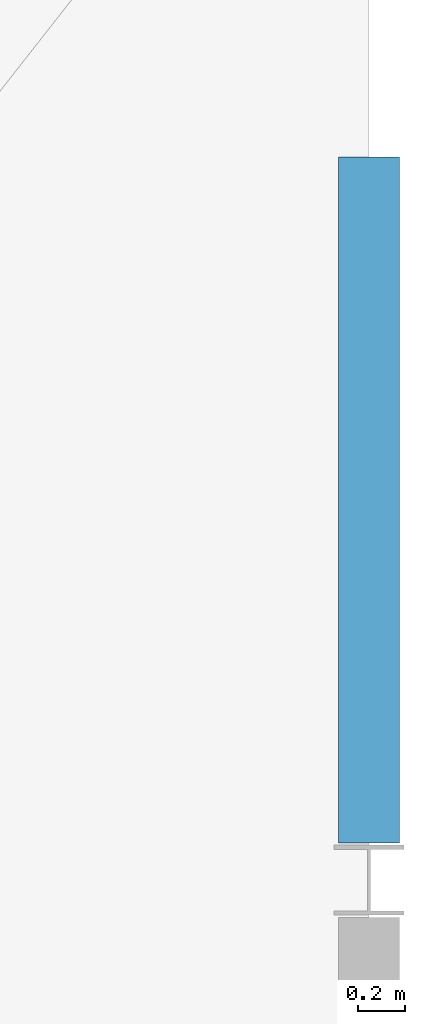
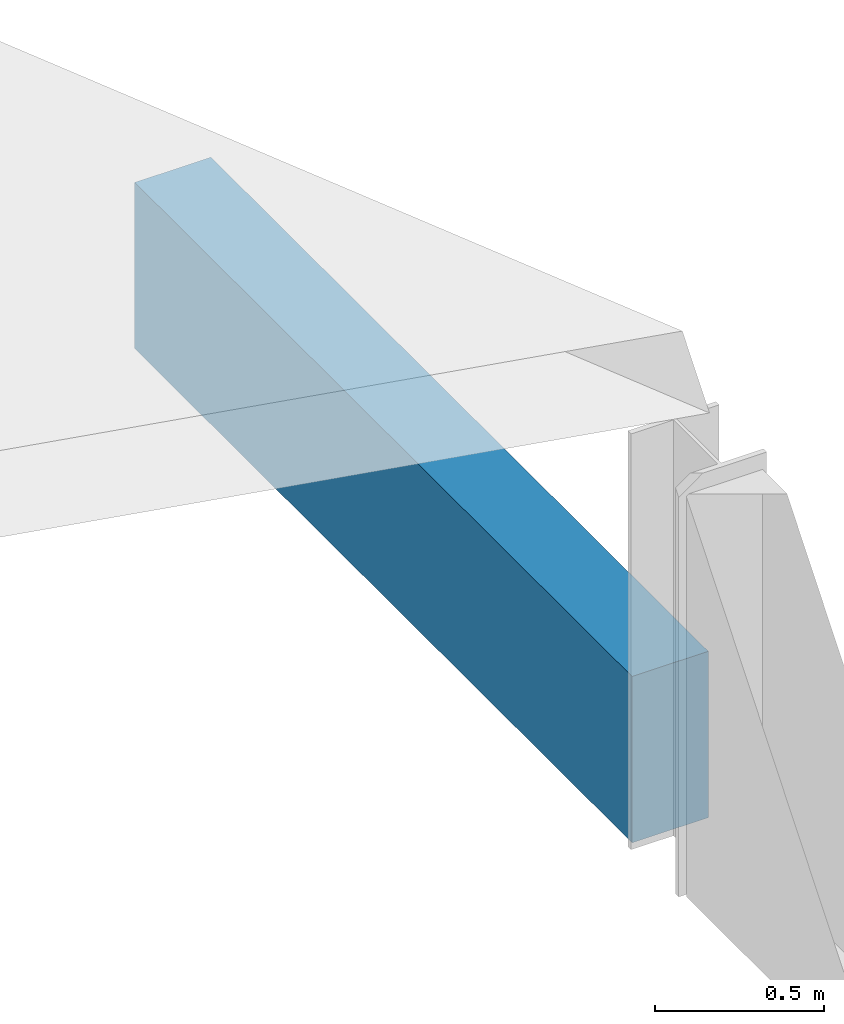
# One storey, part 2 of 2: 1 wall.
"""IFC4 building model written with IfcOpenShell, lengths in metres."""

from ifc_helpers import new_model, si_unit, direction, frame, frame_2d, origin, place, context, subcontext, project, spatial, rectangle, extrude, material, layer, layer_set, type_object, element, save


model = new_model("IFC4")

# Units and contexts
model_context = context("Model", 3, precision=1e-05, world=origin(), true_north=direction((0.0, 1.0)))
body_context = subcontext(model_context, "Body", "Model", "MODEL_VIEW")
ifc_project = project(units=[si_unit("LENGTHUNIT", "METRE"), si_unit("AREAUNIT", "SQUARE_METRE"), si_unit("VOLUMEUNIT", "CUBIC_METRE"), si_unit("PLANEANGLEUNIT", "RADIAN"), si_unit("MASSUNIT", "GRAM", prefix="KILO")], contexts=[model_context])

# Site, building, storey
site_placement = place(None, origin())
site = spatial("IfcSite", under=ifc_project, at=site_placement, CompositionType="ELEMENT")
building_placement = place(site_placement, origin())
building = spatial("IfcBuilding", under=site, at=building_placement, Name="Krzemoval Escarpment Law Courts", CompositionType="ELEMENT")
storey_placement = place(building_placement, frame((0.0, 0.0, 45.89990234375)))
storey = spatial("IfcBuildingStorey", under=building, at=storey_placement, Name="RF", CompositionType="ELEMENT", Elevation=45.89990234375)

# Wall
ifc_material = material(Name="Precast concrete C40/50", Category="concrete")
ifc_layer = layer(ifc_material, 0.260009765625)
ifc_layer_set = layer_set([ifc_layer], Name="Precast concrete C40/50")
wall_type = type_object("IfcWallType", Name="WL-EXT-260", PredefinedType="SOLIDWALL", material=ifc_layer_set)
wall_placement = place(storey_placement, frame((151.199951171875, 116.5, 0.0), z_axis=(0.0, 0.0, 1.0), x_axis=(0.0, -1.0, 0.0)))
element("IfcWall", 1, at=wall_placement, inside=storey, type_object=wall_type, Name="Lantern Gable Wall EW-RF-G08", PredefinedType="SOLIDWALL", context=body_context, shape_type="SweptSolid", body=[
    extrude(rectangle(XDim=2.93994140625, YDim=0.260009765625, at=frame_2d((1.469970703125, 0.0))), origin(), (0.0, 0.0, 1.0), 0.60009765625),
])

save(model, "model.ifc")
